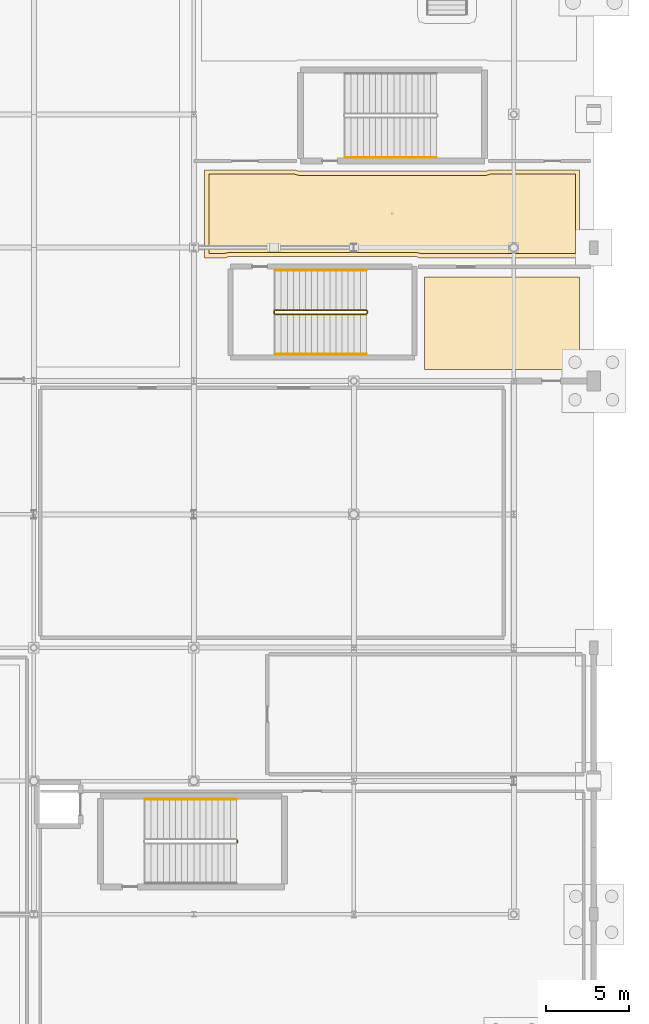
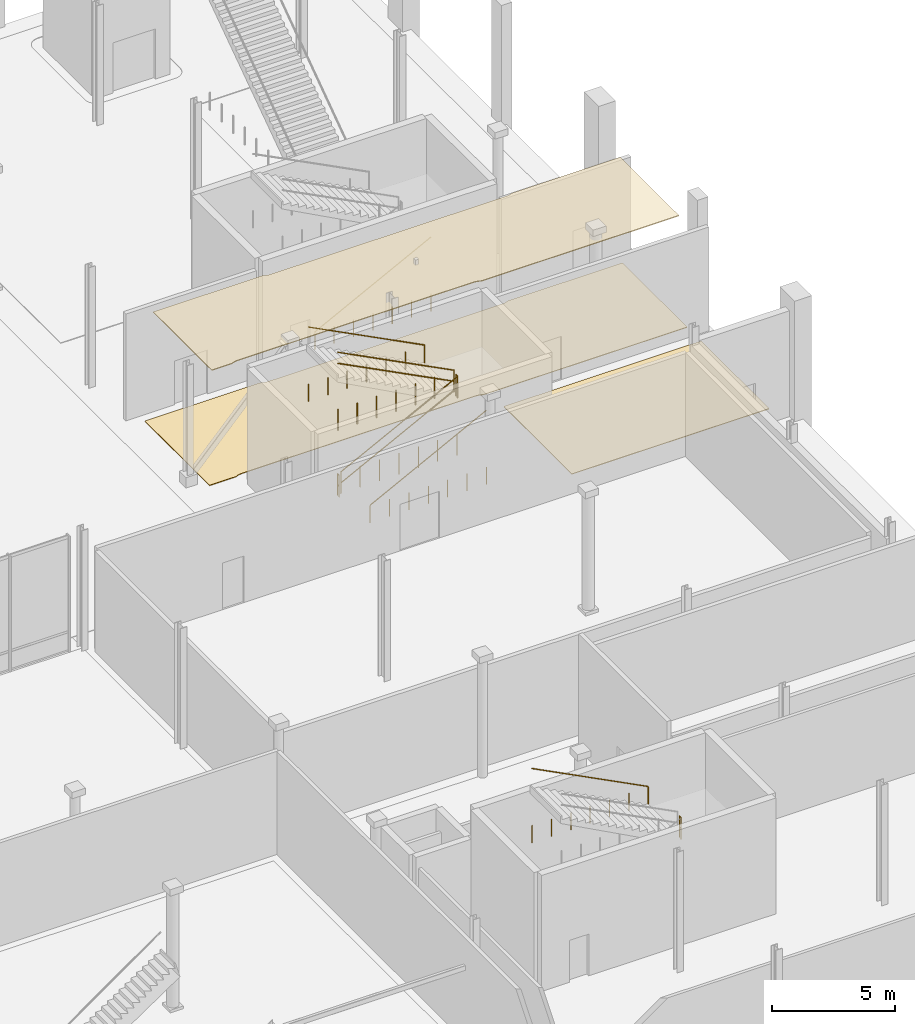
# One storey, part 117 of 124: 9 railings, 3 coverings.
"""IFC4 building model written with IfcOpenShell, lengths in metres."""

from ifc_helpers import new_model, si_unit, direction, frame, origin, origin_2d, place, context, subcontext, project, spatial, polyline, circle, outline, extrude, material, layer, layer_set, type_object, element, save


model = new_model("IFC4")

# Units and contexts
model_context = context("Model", 3, precision=1e-05, world=origin(), true_north=direction((0.0, 1.0)))
body_context = subcontext(model_context, "Body", "Model", "MODEL_VIEW")
ifc_project = project(units=[si_unit("LENGTHUNIT", "METRE"), si_unit("AREAUNIT", "SQUARE_METRE"), si_unit("VOLUMEUNIT", "CUBIC_METRE"), si_unit("PLANEANGLEUNIT", "RADIAN"), si_unit("MASSUNIT", "GRAM", prefix="KILO")], contexts=[model_context])

# Site, building, storey
site_placement = place(None, origin())
site = spatial("IfcSite", under=ifc_project, at=site_placement, CompositionType="ELEMENT")
building_placement = place(site_placement, origin())
building = spatial("IfcBuilding", under=site, at=building_placement, Name="Danafjord Basin Convention Centre", CompositionType="ELEMENT")
storey_placement = place(building_placement, origin())
storey = spatial("IfcBuildingStorey", under=building, at=storey_placement, Name="L00", CompositionType="ELEMENT", Elevation=0.0)

# Coverings
ifc_material_1 = material(Name="Perforated Nordic birch acoustic slats")
ifc_layer_1 = layer(ifc_material_1, 0.0400390625)
ifc_layer_set_1 = layer_set([ifc_layer_1], Name="Perforated Nordic birch acoustic slats")
covering_type_1 = type_object("IfcCoveringType", Name="COV-CLG-AC01", PredefinedType="CEILING", material=ifc_layer_set_1)
covering_1_placement = place(storey_placement, frame((0.0, 0.0, 5.489990234375)))
element("IfcCovering", 1, at=covering_1_placement, inside=storey, type_object=covering_type_1, Name="Ballroom Core Protected Exit Passage acoustic ceiling", PredefinedType="CEILING", context=body_context, shape_type="SweptSolid", body=[
    extrude(outline(polyline([(198.0400390625, 52.419921875), (198.117919921875, 52.387939453125), (198.133056640625, 52.383056640625), (198.174072265625, 52.37109375), (198.18896484375, 52.366943359375), (198.27587890625, 52.34912109375), (198.291015625, 52.346923828125), (198.340087890625, 52.342041015625), (198.35595703125, 52.341064453125), (198.39990234375, 52.340087890625), (209.43994140625, 52.340087890625), (209.48388671875, 52.341064453125), (209.5, 52.342041015625), (209.549072265625, 52.346923828125), (209.56396484375, 52.34912109375), (209.65087890625, 52.366943359375), (209.666015625, 52.37109375), (209.70703125, 52.383056640625), (209.721923828125, 52.387939453125), (209.800048828125, 52.419921875), (214.89990234375, 52.419921875), (214.89990234375, 47.639892578125), (205.60009765625, 47.639892578125), (205.52197265625, 47.672119140625), (205.507080078125, 47.677001953125), (205.466064453125, 47.68896484375), (205.450927734375, 47.693115234375), (205.364013671875, 47.7109375), (205.34912109375, 47.712890625), (205.300048828125, 47.718017578125), (205.283935546875, 47.718994140625), (205.239990234375, 47.719970703125), (194.199951171875, 47.719970703125), (194.156005859375, 47.718994140625), (194.139892578125, 47.718017578125), (194.091064453125, 47.712890625), (194.075927734375, 47.7109375), (193.989013671875, 47.693115234375), (193.97412109375, 47.68896484375), (193.93310546875, 47.677001953125), (193.91796875, 47.672119140625), (193.840087890625, 47.639892578125), (192.89990234375, 47.639892578125), (192.89990234375, 52.419921875), (198.0400390625, 52.419921875)])), origin(), (0.0, 0.0, 1.0), 0.0400390625),
])
ifc_material_2 = material(Name="Polished Bohus granite terrazzo", Category="masonry")
ifc_layer_2 = layer(ifc_material_2, 0.030029296875)
ifc_layer_set_2 = layer_set([ifc_layer_2], Name="Polished Bohus granite terrazzo")
covering_type_2 = type_object("IfcCoveringType", Name="COV-FLR-TER01", PredefinedType="FLOORING", material=ifc_layer_set_2)
covering_2_placement = place(storey_placement, origin())
element("IfcCovering", 2, at=covering_2_placement, inside=storey, type_object=covering_type_2, Name="Ballroom Core Protected Exit Passage finish flooring", PredefinedType="FLOORING", context=body_context, shape_type="SweptSolid", body=[
    extrude(outline(polyline([(198.09912109375, 52.669921875), (198.10205078125, 52.66796875), (198.1240234375, 52.656982421875), (198.137939453125, 52.64990234375), (198.197021484375, 52.625), (198.2119140625, 52.6201171875), (198.238037109375, 52.612060546875), (198.2529296875, 52.60791015625), (198.31005859375, 52.596923828125), (198.324951171875, 52.594970703125), (198.35595703125, 52.592041015625), (198.3720703125, 52.591064453125), (198.39990234375, 52.590087890625), (209.43994140625, 52.590087890625), (209.468017578125, 52.591064453125), (209.48388671875, 52.592041015625), (209.514892578125, 52.594970703125), (209.530029296875, 52.596923828125), (209.5869140625, 52.60791015625), (209.60205078125, 52.612060546875), (209.6279296875, 52.6201171875), (209.64306640625, 52.625), (209.701904296875, 52.64990234375), (209.716064453125, 52.656982421875), (209.738037109375, 52.66796875), (209.740966796875, 52.669921875), (215.14990234375, 52.669921875), (215.14990234375, 47.389892578125), (205.541015625, 47.389892578125), (205.5380859375, 47.39208984375), (205.51611328125, 47.403076171875), (205.501953125, 47.409912109375), (205.443115234375, 47.43505859375), (205.427978515625, 47.43994140625), (205.402099609375, 47.447998046875), (205.386962890625, 47.451904296875), (205.330078125, 47.462890625), (205.31494140625, 47.465087890625), (205.283935546875, 47.468017578125), (205.26806640625, 47.468994140625), (205.239990234375, 47.469970703125), (194.199951171875, 47.469970703125), (194.172119140625, 47.468994140625), (194.156005859375, 47.468017578125), (194.125, 47.465087890625), (194.110107421875, 47.462890625), (194.052978515625, 47.451904296875), (194.0380859375, 47.447998046875), (194.011962890625, 47.43994140625), (193.9970703125, 47.43505859375), (193.93798828125, 47.409912109375), (193.924072265625, 47.403076171875), (193.902099609375, 47.39208984375), (193.89892578125, 47.389892578125), (192.64990234375, 47.389892578125), (192.64990234375, 52.669921875), (198.09912109375, 52.669921875)])), origin(), (0.0, 0.0, 1.0), 0.030029296875),
])
covering_3_placement = place(storey_placement, origin())
element("IfcCovering", 3, at=covering_3_placement, inside=storey, type_object=covering_type_2, Name="Ballroom South-East Protected Exit Vestibule finish flooring", PredefinedType="FLOORING", context=body_context, shape_type="SweptSolid", body=[
    extrude(outline(polyline([(215.14990234375, 46.25), (215.14990234375, 40.699951171875), (205.85009765625, 40.699951171875), (205.85009765625, 46.25), (215.14990234375, 46.25)])), origin(), (0.0, 0.0, 1.0), 0.030029296875),
])

# Railings
ifc_material_3 = material(Name="Galvanised steel S355", Category="steel")
railing_type_1 = type_object("IfcRailingType", Name="RL-GD-WELL", PredefinedType="BALUSTRADE", material=ifc_material_3)
railing_1_placement = place(storey_placement, frame((194.60498046875, 12.31005859375, 3.0)))
element("IfcRailing", 4, at=railing_1_placement, inside=storey, type_object=railing_type_1, Name="L00 ST-15 stair guard 2", PredefinedType="BALUSTRADE", context=body_context, shape_type="SweptSolid", body=[
    extrude(circle(Radius=0.02392578125, at=origin_2d()), frame((0.0, 0.0, 1.076171875), z_axis=(0.0, 1.0, 0.0), x_axis=(-1.0, 0.0, 0.0)), (0.0, 0.0, 1.0), 0.139892578125),
    extrude(circle(Radius=0.02392578125, at=origin_2d()), frame((0.0, 0.0, 0.52587890625), z_axis=(0.0, 1.0, 0.0), x_axis=(-1.0, 0.0, 0.0)), (0.0, 0.0, 1.0), 0.139892578125),
    extrude(circle(Radius=0.02099609375, at=origin_2d()), origin(), (0.0, 0.0, 1.0), 1.050048828125),
    extrude(circle(Radius=0.02099609375, at=origin_2d()), frame((0.0, 0.139892578125, 0.0)), (0.0, 0.0, 1.0), 1.050048828125),
])
railing_2_placement = place(storey_placement, frame((196.8798828125, 44.010009765625, 0.1875)))
element("IfcRailing", 5, at=railing_2_placement, inside=storey, type_object=railing_type_1, Name="L00 ST-14 stair guard 1", PredefinedType="BALUSTRADE", context=body_context, shape_type="SweptSolid", body=[
    extrude(circle(Radius=0.02392578125, at=origin_2d()), frame((0.0, 0.0, 1.076171875), z_axis=(0.889503409663, 0.0, 0.456928532922), x_axis=(0.0, 1.0, 0.0)), (0.0, 0.0, 1.0), 6.1552734375),
    extrude(circle(Radius=0.02392578125, at=origin_2d()), frame((0.0, 0.0, 0.52587890625), z_axis=(0.889503409663, 0.0, 0.456928532922), x_axis=(0.0, 1.0, 0.0)), (0.0, 0.0, 1.0), 6.1552734375),
    extrude(circle(Radius=0.02099609375, at=origin_2d()), origin(), (0.0, 0.0, 1.0), 1.050048828125),
    extrude(circle(Radius=0.02099609375, at=origin_2d()), frame((0.91259765625, 0.0, 0.0)), (0.0, 0.0, 1.0), 1.050048828125),
    extrude(circle(Radius=0.02099609375, at=origin_2d()), frame((1.824951171875, 0.0, 0.0)), (0.0, 0.0, 1.0), 1.050048828125),
    extrude(circle(Radius=0.02099609375, at=origin_2d()), frame((2.737548828125, 0.0, 0.0)), (0.0, 0.0, 1.0), 1.050048828125),
    extrude(circle(Radius=0.02099609375, at=origin_2d()), frame((3.650146484375, 0.0, 0.0)), (0.0, 0.0, 1.0), 1.050048828125),
    extrude(circle(Radius=0.02099609375, at=origin_2d()), frame((4.5625, 0.0, 0.0)), (0.0, 0.0, 1.0), 1.050048828125),
    extrude(circle(Radius=0.02099609375, at=origin_2d()), frame((5.47509765625, 0.0, 0.0)), (0.0, 0.0, 1.0), 1.050048828125),
])
railing_3_placement = place(storey_placement, frame((202.405029296875, 44.06005859375, 3.0)))
element("IfcRailing", 6, at=railing_3_placement, inside=storey, type_object=railing_type_1, Name="L00 ST-14 stair guard 2", PredefinedType="BALUSTRADE", context=body_context, shape_type="SweptSolid", body=[
    extrude(circle(Radius=0.02392578125, at=origin_2d()), frame((0.0, 0.0, 1.076171875), z_axis=(0.0, 1.0, 0.0), x_axis=(-1.0, 0.0, 0.0)), (0.0, 0.0, 1.0), 0.139892578125),
    extrude(circle(Radius=0.02392578125, at=origin_2d()), frame((0.0, 0.0, 0.52587890625), z_axis=(0.0, 1.0, 0.0), x_axis=(-1.0, 0.0, 0.0)), (0.0, 0.0, 1.0), 0.139892578125),
    extrude(circle(Radius=0.02099609375, at=origin_2d()), origin(), (0.0, 0.0, 1.0), 1.050048828125),
    extrude(circle(Radius=0.02099609375, at=origin_2d()), frame((0.0, 0.139892578125, 0.0)), (0.0, 0.0, 1.0), 1.050048828125),
])
railing_4_placement = place(storey_placement, frame((202.35498046875, 44.25, 3.1875)))
element("IfcRailing", 7, at=railing_4_placement, inside=storey, type_object=railing_type_1, Name="L00 ST-14 stair guard 3", PredefinedType="BALUSTRADE", context=body_context, shape_type="SweptSolid", body=[
    extrude(circle(Radius=0.02392578125, at=origin_2d()), frame((0.0, 0.0, 1.076171875), z_axis=(-0.889503409663, 0.0, 0.456928532922), x_axis=(0.0, -1.0, 0.0)), (0.0, 0.0, 1.0), 6.1552734375),
    extrude(circle(Radius=0.02392578125, at=origin_2d()), frame((0.0, 0.0, 0.52587890625), z_axis=(-0.889503409663, 0.0, 0.456928532922), x_axis=(0.0, -1.0, 0.0)), (0.0, 0.0, 1.0), 6.1552734375),
    extrude(circle(Radius=0.02099609375, at=origin_2d()), origin(), (0.0, 0.0, 1.0), 1.050048828125),
    extrude(circle(Radius=0.02099609375, at=origin_2d()), frame((-0.91259765625, 0.0, 0.0)), (0.0, 0.0, 1.0), 1.050048828125),
    extrude(circle(Radius=0.02099609375, at=origin_2d()), frame((-1.824951171875, 0.0, 0.0)), (0.0, 0.0, 1.0), 1.050048828125),
    extrude(circle(Radius=0.02099609375, at=origin_2d()), frame((-2.737548828125, 0.0, 0.0)), (0.0, 0.0, 1.0), 1.050048828125),
    extrude(circle(Radius=0.02099609375, at=origin_2d()), frame((-3.650146484375, 0.0, 0.0)), (0.0, 0.0, 1.0), 1.050048828125),
    extrude(circle(Radius=0.02099609375, at=origin_2d()), frame((-4.5625, 0.0, 0.0)), (0.0, 0.0, 1.0), 1.050048828125),
    extrude(circle(Radius=0.02099609375, at=origin_2d()), frame((-5.47509765625, 0.0, 0.0)), (0.0, 0.0, 1.0), 1.050048828125),
])
railing_5_placement = place(storey_placement, frame((196.830078125, 44.06005859375, 0.0)))
element("IfcRailing", 8, at=railing_5_placement, inside=storey, type_object=railing_type_1, Name="L00 ST-14 stair guard 4", PredefinedType="BALUSTRADE", context=body_context, shape_type="SweptSolid", body=[
    extrude(circle(Radius=0.02392578125, at=origin_2d()), frame((0.0, 0.0, 1.076171875), z_axis=(0.0, 1.0, 0.0), x_axis=(-1.0, 0.0, 0.0)), (0.0, 0.0, 1.0), 0.139892578125),
    extrude(circle(Radius=0.02392578125, at=origin_2d()), frame((0.0, 0.0, 0.52587890625), z_axis=(0.0, 1.0, 0.0), x_axis=(-1.0, 0.0, 0.0)), (0.0, 0.0, 1.0), 0.139892578125),
    extrude(circle(Radius=0.02099609375, at=origin_2d()), origin(), (0.0, 0.0, 1.0), 1.050048828125),
    extrude(circle(Radius=0.02099609375, at=origin_2d()), frame((0.0, 0.139892578125, 0.0)), (0.0, 0.0, 1.0), 1.050048828125),
])
ifc_material_4 = material(Name="Brushed stainless steel EN 1.4404", Category="steel")
railing_type_2 = type_object("IfcRailingType", Name="RL-HR-STAIR", PredefinedType="HANDRAIL", material=ifc_material_4)
railing_6_placement = place(storey_placement, frame((201.080078125, 53.409912109375, 0.1875)))
element("IfcRailing", 9, at=railing_6_placement, inside=storey, type_object=railing_type_2, Name="L00 ST-13 stair handrail 1", PredefinedType="HANDRAIL", context=body_context, shape_type="SweptSolid", body=[
    extrude(circle(Radius=0.02392578125, at=origin_2d()), frame((0.0, 0.0, 0.8759765625), z_axis=(0.889495128042, 0.0, 0.456944654405), x_axis=(0.0, 1.0, 0.0)), (0.0, 0.0, 1.0), 6.155029296875),
    extrude(circle(Radius=0.02099609375, at=origin_2d()), origin(), (0.0, 0.0, 1.0), 0.849853515625),
    extrude(circle(Radius=0.02099609375, at=origin_2d()), frame((0.91259765625, 0.0, 0.0)), (0.0, 0.0, 1.0), 0.849853515625),
    extrude(circle(Radius=0.02099609375, at=origin_2d()), frame((1.824951171875, 0.0, 0.0)), (0.0, 0.0, 1.0), 0.849853515625),
    extrude(circle(Radius=0.02099609375, at=origin_2d()), frame((2.7373046875, 0.0, 0.0)), (0.0, 0.0, 1.0), 0.849853515625),
    extrude(circle(Radius=0.02099609375, at=origin_2d()), frame((3.64990234375, 0.0, 0.0)), (0.0, 0.0, 1.0), 0.849853515625),
    extrude(circle(Radius=0.02099609375, at=origin_2d()), frame((4.5625, 0.0, 0.0)), (0.0, 0.0, 1.0), 0.849853515625),
    extrude(circle(Radius=0.02099609375, at=origin_2d()), frame((5.474853515625, 0.0, 0.0)), (0.0, 0.0, 1.0), 0.849853515625),
])
railing_7_placement = place(storey_placement, frame((194.554931640625, 14.89990234375, 3.1875)))
element("IfcRailing", 10, at=railing_7_placement, inside=storey, type_object=railing_type_2, Name="L00 ST-15 stair handrail 2", PredefinedType="HANDRAIL", context=body_context, shape_type="SweptSolid", body=[
    extrude(circle(Radius=0.02392578125, at=origin_2d()), frame((0.0, 0.0, 0.8759765625), z_axis=(-0.889495128042, 0.0, 0.456944654405), x_axis=(0.0, -1.0, 0.0)), (0.0, 0.0, 1.0), 6.155029296875),
    extrude(circle(Radius=0.02099609375, at=origin_2d()), origin(), (0.0, 0.0, 1.0), 0.849853515625),
    extrude(circle(Radius=0.02099609375, at=origin_2d()), frame((-0.91259765625, 0.0, 0.0)), (0.0, 0.0, 1.0), 0.849853515625),
    extrude(circle(Radius=0.02099609375, at=origin_2d()), frame((-1.824951171875, 0.0, 0.0)), (0.0, 0.0, 1.0), 0.849853515625),
    extrude(circle(Radius=0.02099609375, at=origin_2d()), frame((-2.7373046875, 0.0, 0.0)), (0.0, 0.0, 1.0), 0.849853515625),
    extrude(circle(Radius=0.02099609375, at=origin_2d()), frame((-3.64990234375, 0.0, 0.0)), (0.0, 0.0, 1.0), 0.849853515625),
    extrude(circle(Radius=0.02099609375, at=origin_2d()), frame((-4.5625, 0.0, 0.0)), (0.0, 0.0, 1.0), 0.849853515625),
    extrude(circle(Radius=0.02099609375, at=origin_2d()), frame((-5.474853515625, 0.0, 0.0)), (0.0, 0.0, 1.0), 0.849853515625),
])
railing_8_placement = place(storey_placement, frame((196.8798828125, 41.610107421875, 0.1875)))
element("IfcRailing", 11, at=railing_8_placement, inside=storey, type_object=railing_type_2, Name="L00 ST-14 stair handrail 1", PredefinedType="HANDRAIL", context=body_context, shape_type="SweptSolid", body=[
    extrude(circle(Radius=0.02392578125, at=origin_2d()), frame((0.0, 0.0, 0.8759765625), z_axis=(0.889503409663, 0.0, 0.456928532922), x_axis=(0.0, 1.0, 0.0)), (0.0, 0.0, 1.0), 6.1552734375),
    extrude(circle(Radius=0.02099609375, at=origin_2d()), origin(), (0.0, 0.0, 1.0), 0.849853515625),
    extrude(circle(Radius=0.02099609375, at=origin_2d()), frame((0.91259765625, 0.0, 0.0)), (0.0, 0.0, 1.0), 0.849853515625),
    extrude(circle(Radius=0.02099609375, at=origin_2d()), frame((1.824951171875, 0.0, 0.0)), (0.0, 0.0, 1.0), 0.849853515625),
    extrude(circle(Radius=0.02099609375, at=origin_2d()), frame((2.737548828125, 0.0, 0.0)), (0.0, 0.0, 1.0), 0.849853515625),
    extrude(circle(Radius=0.02099609375, at=origin_2d()), frame((3.650146484375, 0.0, 0.0)), (0.0, 0.0, 1.0), 0.849853515625),
    extrude(circle(Radius=0.02099609375, at=origin_2d()), frame((4.5625, 0.0, 0.0)), (0.0, 0.0, 1.0), 0.849853515625),
    extrude(circle(Radius=0.02099609375, at=origin_2d()), frame((5.47509765625, 0.0, 0.0)), (0.0, 0.0, 1.0), 0.849853515625),
])
railing_9_placement = place(storey_placement, frame((202.35498046875, 46.64990234375, 3.1875)))
element("IfcRailing", 12, at=railing_9_placement, inside=storey, type_object=railing_type_2, Name="L00 ST-14 stair handrail 2", PredefinedType="HANDRAIL", context=body_context, shape_type="SweptSolid", body=[
    extrude(circle(Radius=0.02392578125, at=origin_2d()), frame((0.0, 0.0, 0.8759765625), z_axis=(-0.889503409663, 0.0, 0.456928532922), x_axis=(0.0, -1.0, 0.0)), (0.0, 0.0, 1.0), 6.1552734375),
    extrude(circle(Radius=0.02099609375, at=origin_2d()), origin(), (0.0, 0.0, 1.0), 0.849853515625),
    extrude(circle(Radius=0.02099609375, at=origin_2d()), frame((-0.91259765625, 0.0, 0.0)), (0.0, 0.0, 1.0), 0.849853515625),
    extrude(circle(Radius=0.02099609375, at=origin_2d()), frame((-1.824951171875, 0.0, 0.0)), (0.0, 0.0, 1.0), 0.849853515625),
    extrude(circle(Radius=0.02099609375, at=origin_2d()), frame((-2.737548828125, 0.0, 0.0)), (0.0, 0.0, 1.0), 0.849853515625),
    extrude(circle(Radius=0.02099609375, at=origin_2d()), frame((-3.650146484375, 0.0, 0.0)), (0.0, 0.0, 1.0), 0.849853515625),
    extrude(circle(Radius=0.02099609375, at=origin_2d()), frame((-4.5625, 0.0, 0.0)), (0.0, 0.0, 1.0), 0.849853515625),
    extrude(circle(Radius=0.02099609375, at=origin_2d()), frame((-5.47509765625, 0.0, 0.0)), (0.0, 0.0, 1.0), 0.849853515625),
])

save(model, "model.ifc")
